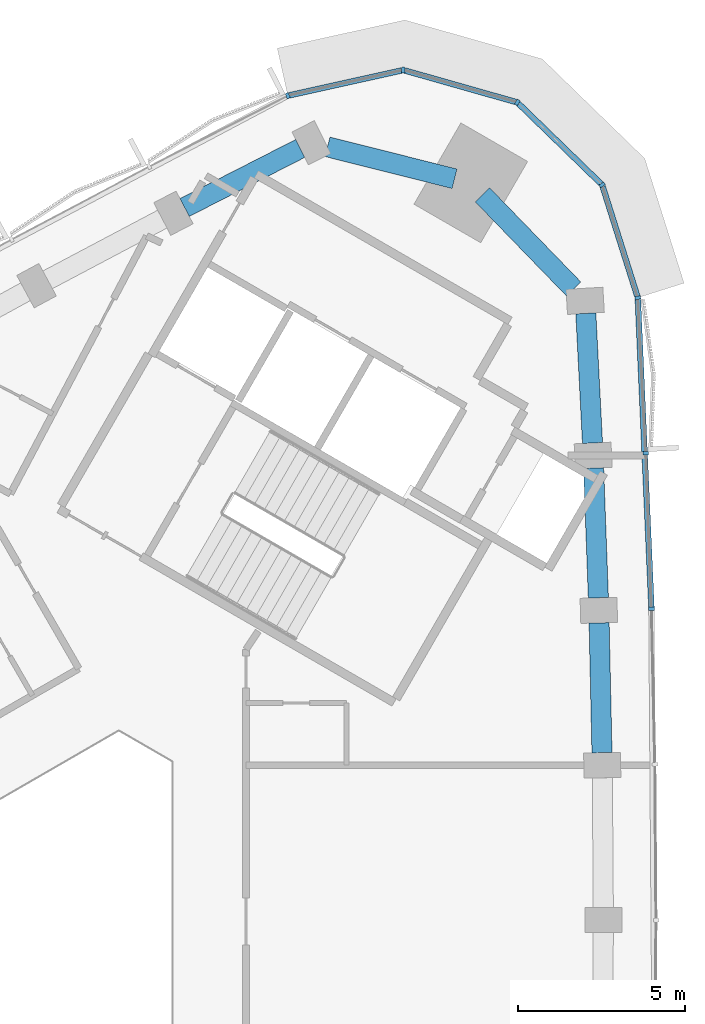
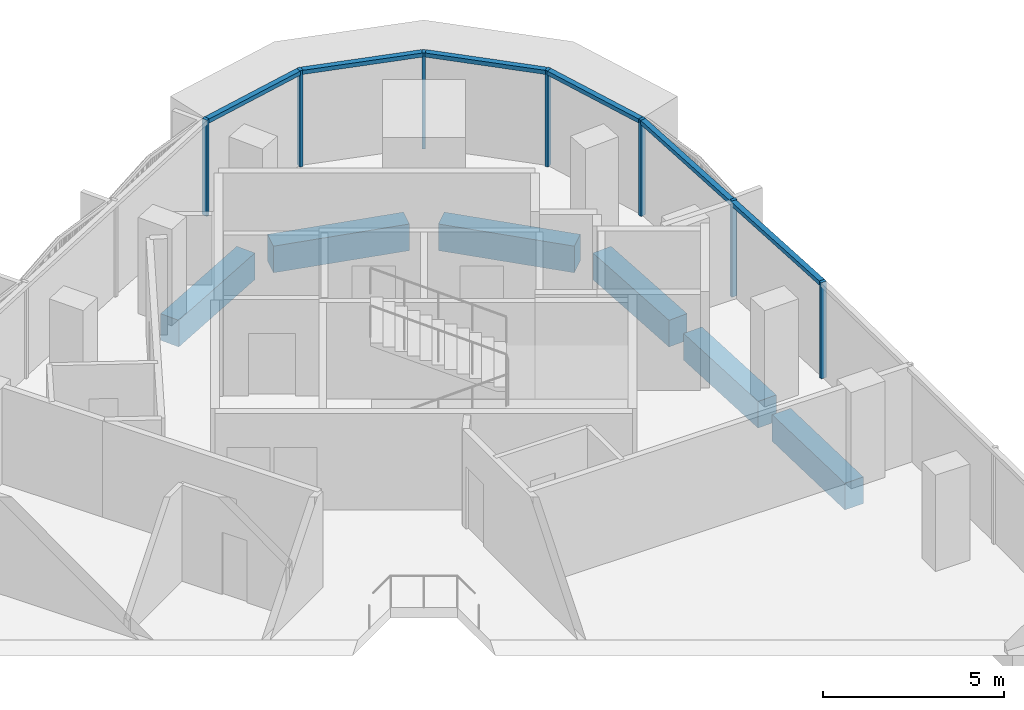
# One storey, part 6 of 14: 12 members, 6 beams, 2 elements without a shape of their own.
"""IFC4 building model written with IfcOpenShell, lengths in metres."""

from ifc_helpers import new_model, si_unit, direction, frame, origin, origin_2d, place, context, subcontext, project, spatial, rectangle, extrude, material, material_profile, profile_set, type_object, element, aggregate, save


model = new_model("IFC4")

# Units and contexts
model_context = context("Model", 3, precision=1e-05, world=origin(), true_north=direction((0.0, 1.0)))
body_context = subcontext(model_context, "Body", "Model", "MODEL_VIEW")
ifc_project = project(units=[si_unit("LENGTHUNIT", "METRE"), si_unit("AREAUNIT", "SQUARE_METRE"), si_unit("VOLUMEUNIT", "CUBIC_METRE"), si_unit("PLANEANGLEUNIT", "RADIAN"), si_unit("MASSUNIT", "GRAM", prefix="KILO")], contexts=[model_context])

# Site, building, storey
site_placement = place(None, origin())
site = spatial("IfcSite", under=ifc_project, at=site_placement, CompositionType="ELEMENT")
building_placement = place(site_placement, origin())
building = spatial("IfcBuilding", under=site, at=building_placement, Name="Tamra Quay Hotel Tower", CompositionType="ELEMENT")
storey_placement = place(building_placement, frame((0.0, 0.0, 228.60009765625)))
storey = spatial("IfcBuildingStorey", under=building, at=storey_placement, Name="L57", CompositionType="ELEMENT", Elevation=228.60009765625)

# Curtain wall, members
ifc_material_1 = material(Name="Aluminium 6063 anodised dark grey", Category="aluminium")
curtain_wall_type_1 = type_object("IfcCurtainWallType", Name="CW1 CURTAIN WALL", PredefinedType="NOTDEFINED", material=ifc_material_1)
curtain_wall_1_placement = place(storey_placement, origin())
curtain_wall_1 = element("IfcCurtainWall", 1, at=curtain_wall_1_placement, inside=storey, type_object=curtain_wall_type_1, Name="CW1 east face L57", PredefinedType="NOTDEFINED")
ifc_material_profile_1 = material_profile(ifc_material_1, rectangle(XDim=0.169921875, YDim=0.10009765625, at=origin_2d()), Name="MULLION 100X170")
ifc_profile_set_1 = profile_set([ifc_material_profile_1], Name="Aluminium 6063 anodised dark grey")
member_type_1 = type_object("IfcMemberType", Name="MULLION CW1 Z5", PredefinedType="MULLION", material=ifc_profile_set_1)
member_1_placement = place(storey_placement, frame((18.106689453125, 9.295166015625, 0.0), z_axis=(0.0, 0.0, 1.0), x_axis=(0.999567592353, 0.029404562872, 0.0)))
member_1 = element("IfcMember", 2, at=member_1_placement, type_object=member_type_1, Name="CW1 mullion L57.E.7", PredefinedType="MULLION", context=body_context, shape_type="SweptSolid", body=[
    extrude(rectangle(XDim=0.169921875, YDim=0.10009765625, at=origin_2d()), origin(), (0.0, 0.0, 1.0), 3.25),
])
member_2_placement = place(storey_placement, frame((17.935791015625, 13.94091796875, 0.0), z_axis=(0.0, 0.0, 1.0), x_axis=(0.999028216264, 0.044075198344, 0.0)))
member_2 = element("IfcMember", 3, at=member_2_placement, type_object=member_type_1, Name="CW1 mullion L57.E.8", PredefinedType="MULLION", context=body_context, shape_type="SweptSolid", body=[
    extrude(rectangle(XDim=0.169921875, YDim=0.10009765625, at=origin_2d()), origin(), (0.0, 0.0, 1.0), 3.25),
])
member_3_placement = place(storey_placement, frame((17.69677734375, 18.5830078125, 0.0), z_axis=(0.0, 0.0, 1.0), x_axis=(0.984105321789, 0.177585797933, 0.0)))
member_3 = element("IfcMember", 4, at=member_3_placement, type_object=member_type_1, Name="CW1 mullion L57.E.9", PredefinedType="MULLION", context=body_context, shape_type="SweptSolid", body=[
    extrude(rectangle(XDim=0.169921875, YDim=0.10009765625, at=origin_2d()), origin(), (0.0, 0.0, 1.0), 3.25),
])
member_4_placement = place(storey_placement, frame((16.633056640625, 21.9541015625, 0.0), z_axis=(0.0, 0.0, 1.0), x_axis=(0.851044298206, 0.525093898736, 0.0)))
member_4 = element("IfcMember", 5, at=member_4_placement, type_object=member_type_1, Name="CW1 mullion L57.E.10", PredefinedType="MULLION", context=body_context, shape_type="SweptSolid", body=[
    extrude(rectangle(XDim=0.169921875, YDim=0.10009765625, at=origin_2d()), origin(), (0.0, 0.0, 1.0), 3.25),
])
member_5_placement = place(storey_placement, frame((14.09716796875, 24.4169921875, 0.0), z_axis=(0.0, 0.0, 1.0), x_axis=(0.5, 0.866025403784, 0.0)))
member_5 = element("IfcMember", 6, at=member_5_placement, type_object=member_type_1, Name="CW1 mullion L57.E.11", PredefinedType="MULLION", context=body_context, shape_type="SweptSolid", body=[
    extrude(rectangle(XDim=0.169921875, YDim=0.10009765625, at=origin_2d()), origin(), (0.0, 0.0, 1.0), 3.25),
])
member_6_placement = place(storey_placement, frame((10.6962890625, 25.3818359375, 0.0), z_axis=(0.0, 0.0, 1.0), x_axis=(0.029222506575, 0.999572931361, 0.0)))
member_6 = element("IfcMember", 7, at=member_6_placement, type_object=member_type_1, Name="CW1 mullion L57.E.12", PredefinedType="MULLION", context=body_context, shape_type="SweptSolid", body=[
    extrude(rectangle(XDim=0.169921875, YDim=0.10009765625, at=origin_2d()), origin(), (0.0, 0.0, 1.0), 3.25),
])

# Curtain wall, member
curtain_wall_type_2 = type_object("IfcCurtainWallType", Name="CW2 CURTAIN WALL", PredefinedType="NOTDEFINED", material=ifc_material_1)
curtain_wall_2_placement = place(storey_placement, origin())
curtain_wall_2 = element("IfcCurtainWall", 8, at=curtain_wall_2_placement, inside=storey, type_object=curtain_wall_type_2, Name="CW2 north-west face L57", PredefinedType="NOTDEFINED")
ifc_material_profile_2 = material_profile(ifc_material_1, rectangle(XDim=0.169921875, YDim=0.10009765625, at=origin_2d()), Name="MULLION 100X170")
ifc_profile_set_2 = profile_set([ifc_material_profile_2], Name="Aluminium 6063 anodised dark grey")
member_type_2 = type_object("IfcMemberType", Name="MULLION CW2 Z5", PredefinedType="MULLION", material=ifc_profile_set_2)
member_7_placement = place(storey_placement, frame((7.244873046875, 24.617431640625, 0.0), z_axis=(0.0, 0.0, 1.0), x_axis=(-0.338258848533, 0.941053107635, 0.0)))
member_7 = element("IfcMember", 9, at=member_7_placement, type_object=member_type_2, Name="CW2 mullion L57.NW.1", PredefinedType="MULLION", context=body_context, shape_type="SweptSolid", body=[
    extrude(rectangle(XDim=0.169921875, YDim=0.10009765625, at=origin_2d()), origin(), (0.0, 0.0, 1.0), 3.25),
])
aggregate(curtain_wall_2, [member_7])

# Beams
ifc_material_2 = material(Name="Concrete M60", Category="concrete")
ifc_material_profile_3 = material_profile(ifc_material_2, rectangle(XDim=0.60009765625, YDim=0.89990234375, at=origin_2d()), Name="SPANDREL BEAM RC 600x900")
ifc_profile_set_3 = profile_set([ifc_material_profile_3], Name="Concrete M60")
beam_type = type_object("IfcBeamType", Name="SPANDREL BEAM RC 600x900", PredefinedType="SPANDREL", material=ifc_profile_set_3)
beam_1_placement = place(storey_placement, frame((16.626953125, 5.0, -0.800048828125), z_axis=(-0.022047440235, 0.999756925647, 0.0), x_axis=(-0.999756925647, -0.022047440235, 0.0)))
element("IfcBeam", 10, at=beam_1_placement, inside=storey, type_object=beam_type, Name="BM-SP5-005-L57", PredefinedType="SPANDREL", context=body_context, shape_type="SweptSolid", body=[
    extrude(rectangle(XDim=0.60009765625, YDim=0.89990234375, at=origin_2d()), origin(), (0.0, 0.0, 1.0), 3.875732421875),
])
beam_2_placement = place(storey_placement, frame((16.51953125, 9.62451171875, -0.800048828125), z_axis=(-0.036732019634, 0.999325151657, 0.0), x_axis=(-0.999325151657, -0.036732019634, 0.0)))
element("IfcBeam", 11, at=beam_2_placement, inside=storey, type_object=beam_type, Name="BM-SP5-006-L57", PredefinedType="SPANDREL", context=body_context, shape_type="SweptSolid", body=[
    extrude(rectangle(XDim=0.60009765625, YDim=0.89990234375, at=origin_2d()), origin(), (0.0, 0.0, 1.0), 3.875),
])
beam_3_placement = place(storey_placement, frame((16.343994140625, 14.24609375, -0.800048828125), z_axis=(-0.051404854824, 0.998677896471, 0.0), x_axis=(-0.998677896471, -0.051404854824, 0.0)))
element("IfcBeam", 12, at=beam_3_placement, inside=storey, type_object=beam_type, Name="BM-SP5-007-L57", PredefinedType="SPANDREL", context=body_context, shape_type="SweptSolid", body=[
    extrude(rectangle(XDim=0.60009765625, YDim=0.89990234375, at=origin_2d()), origin(), (0.0, 0.0, 1.0), 3.87548828125),
])
beam_4_placement = place(storey_placement, frame((15.781005859375, 18.846435546875, -0.800048828125), z_axis=(-0.69594408001, 0.718095980701, 0.0), x_axis=(-0.718095980701, -0.69594408001, 0.0)))
element("IfcBeam", 13, at=beam_4_placement, inside=storey, type_object=beam_type, Name="BM-SP5-008-L57", PredefinedType="SPANDREL", context=body_context, shape_type="SweptSolid", body=[
    extrude(rectangle(XDim=0.60009765625, YDim=0.89990234375, at=origin_2d()), origin(), (0.0, 0.0, 1.0), 3.91259765625),
])
beam_5_placement = place(storey_placement, frame((12.225830078125, 22.136474609375, -0.800048828125), z_axis=(-0.969848171666, 0.243709917558, 0.0), x_axis=(-0.243709917558, -0.969848171666, 0.0)))
element("IfcBeam", 14, at=beam_5_placement, inside=storey, type_object=beam_type, Name="BM-SP5-009-L57", PredefinedType="SPANDREL", context=body_context, shape_type="SweptSolid", body=[
    extrude(rectangle(XDim=0.60009765625, YDim=0.89990234375, at=origin_2d()), origin(), (0.0, 0.0, 1.0), 3.912841796875),
])
beam_6_placement = place(storey_placement, frame((7.616943359375, 23.0400390625, -0.800048828125), z_axis=(-0.890602550436, -0.454782472349, 0.0), x_axis=(0.454782472349, -0.890602550436, 0.0)))
element("IfcBeam", 15, at=beam_6_placement, inside=storey, type_object=beam_type, Name="BM-SP5-010-L57", PredefinedType="SPANDREL", context=body_context, shape_type="SweptSolid", body=[
    extrude(rectangle(XDim=0.60009765625, YDim=0.89990234375, at=origin_2d()), origin(), (0.0, 0.0, 1.0), 3.87548828125),
])

# Member
ifc_material_profile_4 = material_profile(ifc_material_1, rectangle(XDim=0.169921875, YDim=0.139892578125, at=origin_2d()), Name="TRANSOM 170X140")
ifc_profile_set_4 = profile_set([ifc_material_profile_4], Name="Aluminium 6063 anodised dark grey")
member_type_3 = type_object("IfcMemberType", Name="TRANSOM CW1 Z5", PredefinedType="USERDEFINED", material=ifc_profile_set_4)
member_8_placement = place(storey_placement, frame((18.104736328125, 9.34521484375, 3.179931640625), z_axis=(-0.044067372044, 0.999028561514, 0.0), x_axis=(-0.999028561514, -0.044067372044, 0.0)))
member_8 = element("IfcMember", 16, at=member_8_placement, type_object=member_type_3, Name="CW1 transom L57.E.7", ObjectType="TRANSOM", PredefinedType="USERDEFINED", context=body_context, shape_type="SweptSolid", body=[
    extrude(rectangle(XDim=0.169921875, YDim=0.139892578125, at=origin_2d()), origin(), (0.0, 0.0, 1.0), 9.19677734375),
])

member_9_placement = place(storey_placement, frame((17.681884765625, 18.630615234375, 3.179931640625), z_axis=(-0.30092047073, 0.953649238607, 0.0), x_axis=(-0.953649238607, -0.30092047073, 0.0)))
member_9 = element("IfcMember", 17, at=member_9_placement, type_object=member_type_3, Name="CW1 transom L57.E.9", ObjectType="TRANSOM", PredefinedType="USERDEFINED", context=body_context, shape_type="SweptSolid", body=[
    extrude(rectangle(XDim=0.169921875, YDim=0.139892578125, at=origin_2d()), origin(), (0.0, 0.0, 1.0), 3.43505859375),
])

member_10_placement = place(storey_placement, frame((16.59716796875, 21.989013671875, 3.179931640625), z_axis=(-0.717337227603, 0.696726131199, 0.0), x_axis=(-0.696726131199, -0.717337227603, 0.0)))
member_10 = element("IfcMember", 18, at=member_10_placement, type_object=member_type_3, Name="CW1 transom L57.E.10", ObjectType="TRANSOM", PredefinedType="USERDEFINED", context=body_context, shape_type="SweptSolid", body=[
    extrude(rectangle(XDim=0.169921875, YDim=0.139892578125, at=origin_2d()), origin(), (0.0, 0.0, 1.0), 3.43505859375),
])

member_11_placement = place(storey_placement, frame((14.049072265625, 24.4306640625, 3.179931640625), z_axis=(-0.962037198813, 0.272918354273, 0.0), x_axis=(-0.272918354273, -0.962037198813, 0.0)))
member_11 = element("IfcMember", 19, at=member_11_placement, type_object=member_type_3, Name="CW1 transom L57.E.11", ObjectType="TRANSOM", PredefinedType="USERDEFINED", context=body_context, shape_type="SweptSolid", body=[
    extrude(rectangle(XDim=0.169921875, YDim=0.139892578125, at=origin_2d()), origin(), (0.0, 0.0, 1.0), 3.43505859375),
])

member_12_placement = place(storey_placement, frame((10.6474609375, 25.37109375, 3.179931640625), z_axis=(-0.976332331622, -0.21627569958, 0.0), x_axis=(0.21627569958, -0.976332331622, 0.0)))
member_12 = element("IfcMember", 20, at=member_12_placement, type_object=member_type_3, Name="CW1 transom L57.E.12", ObjectType="TRANSOM", PredefinedType="USERDEFINED", context=body_context, shape_type="SweptSolid", body=[
    extrude(rectangle(XDim=0.169921875, YDim=0.139892578125, at=origin_2d()), origin(), (0.0, 0.0, 1.0), 3.43505859375),
])

aggregate(curtain_wall_1, [member_1, member_8, member_2, member_3, member_9, member_4, member_10, member_5, member_11, member_6, member_12])

save(model, "model.ifc")
